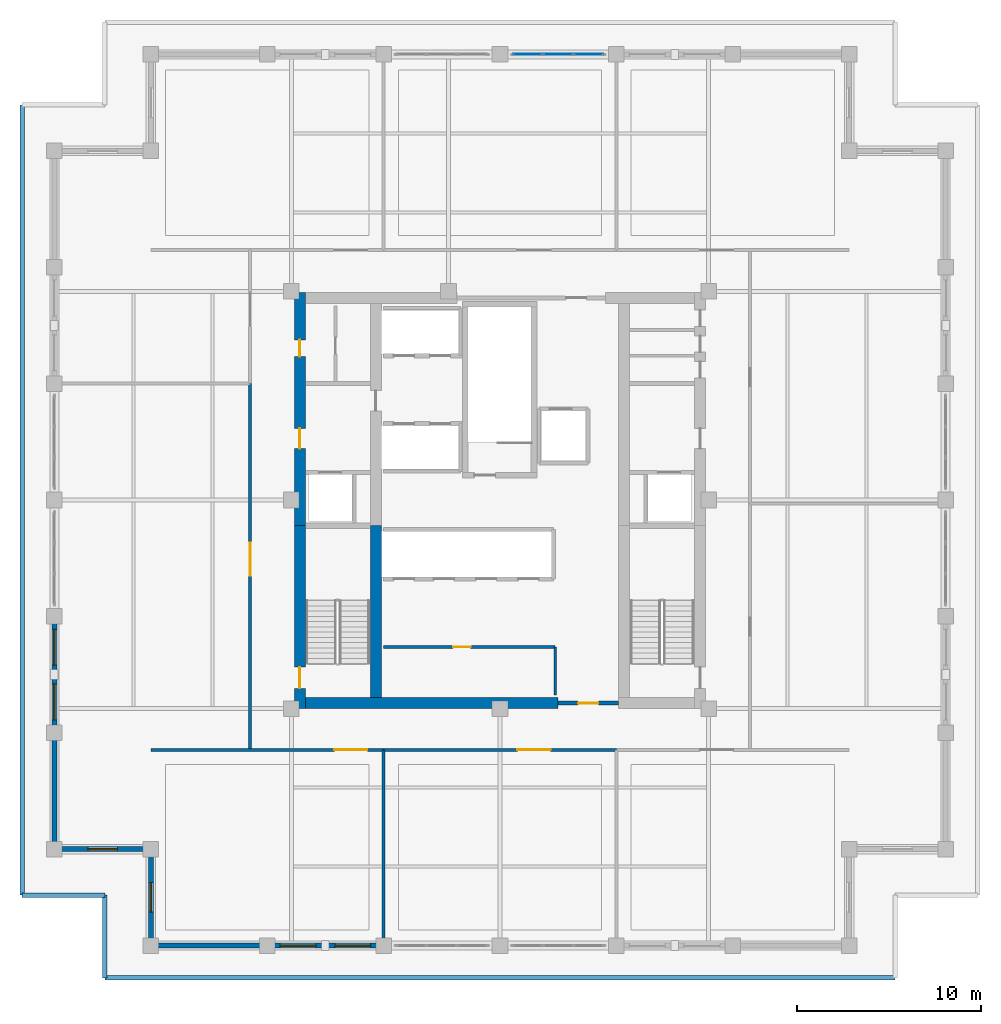
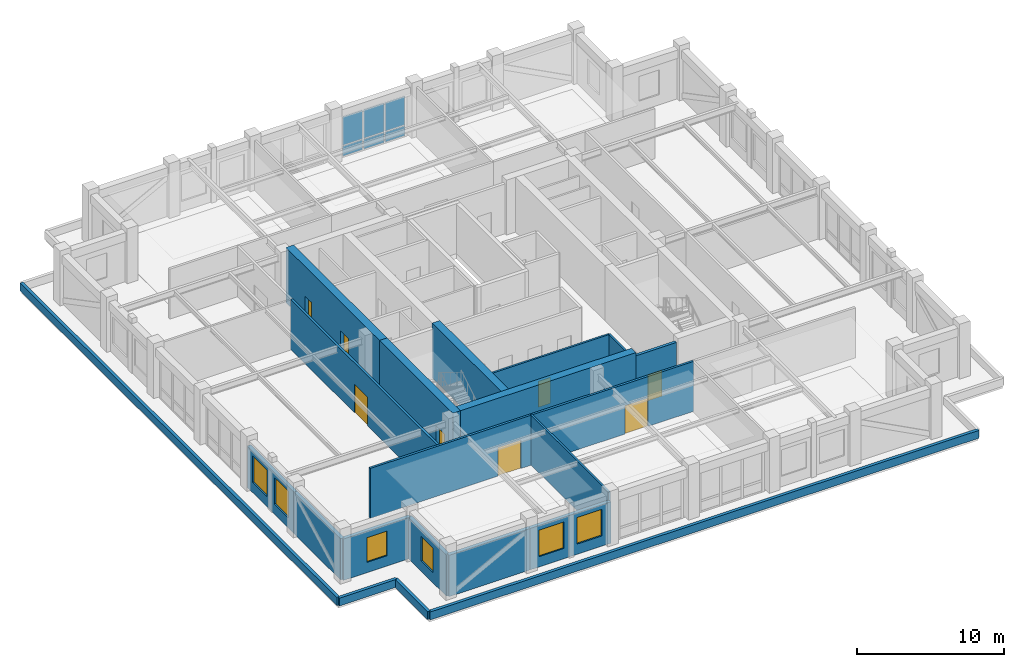
# One storey, part 7 of 14: 21 walls, 8 doors, 6 plates, 6 windows, 14 openings, 1 element without a shape of its own.
"""IFC4 building model written with IfcOpenShell, lengths in metres."""

from ifc_helpers import new_model, si_unit, direction, frame, frame_2d, origin, origin_2d, place, context, subcontext, project, spatial, rectangle, extrude, material, layer, layer_set, type_object, element, fill, aggregate, save


model = new_model("IFC4")

# Units and contexts
model_context = context("Model", 3, precision=1e-05, world=origin(), true_north=direction((0.0, 1.0)))
body_context = subcontext(model_context, "Body", "Model", "MODEL_VIEW")
ifc_project = project(units=[si_unit("LENGTHUNIT", "METRE"), si_unit("AREAUNIT", "SQUARE_METRE"), si_unit("VOLUMEUNIT", "CUBIC_METRE"), si_unit("PLANEANGLEUNIT", "RADIAN"), si_unit("MASSUNIT", "GRAM", prefix="KILO")], contexts=[model_context])

# Site, building, storey
site_placement = place(None, origin())
site = spatial("IfcSite", under=ifc_project, at=site_placement, CompositionType="ELEMENT")
building_placement = place(site_placement, origin())
building = spatial("IfcBuilding", under=site, at=building_placement, Name="Nhamokura Convention Tower", CompositionType="ELEMENT")
storey_placement = place(building_placement, frame((0.0, 0.0, 182.35009765625)))
storey = spatial("IfcBuildingStorey", under=building, at=storey_placement, Name="L44", CompositionType="ELEMENT", Elevation=182.35009765625)

# Curtain wall, plates
ifc_material_1 = material(Name="Anodised bronze aluminium AA6063-T6", Category="aluminium")
ifc_layer_1 = layer(ifc_material_1, 0.18994140625)
ifc_layer_set_1 = layer_set([ifc_layer_1], Name="CWSystem_SkyLobby")
curtain_wall_type = type_object("IfcCurtainWallType", Name="CWSystem_SkyLobby", PredefinedType="NOTDEFINED", material=ifc_layer_set_1)
curtain_wall_placement = place(storey_placement, origin())
curtain_wall = element("IfcCurtainWall", 1, at=curtain_wall_placement, inside=storey, type_object=curtain_wall_type, Name="L44 Curtain Wall ENV-L44-CW-N3", PredefinedType="NOTDEFINED")
ifc_material_2 = material(Name="Solar-control bronze low-E double glass", Category="glass")
ifc_layer_2 = layer(ifc_material_2, 0.0400390625)
ifc_layer_set_2 = layer_set([ifc_layer_2], Name="CWGlazedPanel_3")
plate_type = type_object("IfcPlateType", Name="CWGlazedPanel_3", PredefinedType="CURTAIN_PANEL", material=ifc_layer_set_2)
plate_1_placement = place(storey_placement, frame((33.507568359375, 56.25, 0.074951171875), z_axis=(0.0, 0.0, 1.0), x_axis=(1.0, 0.0, 0.0)))
plate_1 = element("IfcPlate", 2, at=plate_1_placement, type_object=plate_type, Name="CW-06 panel 1.1", PredefinedType="CURTAIN_PANEL", context=body_context, shape_type="SweptSolid", body=[
    extrude(rectangle(XDim=1.565185546875, YDim=0.0400390625, at=origin_2d()), origin(), (0.0, 0.0, 1.0), 0.83740234375),
])
plate_2_placement = place(storey_placement, frame((33.507568359375, 56.25, 0.9873046875), z_axis=(0.0, 0.0, 1.0), x_axis=(1.0, 0.0, 0.0)))
plate_2 = element("IfcPlate", 3, at=plate_2_placement, type_object=plate_type, Name="CW-06 panel 1.2", PredefinedType="CURTAIN_PANEL", context=body_context, shape_type="SweptSolid", body=[
    extrude(rectangle(XDim=1.565185546875, YDim=0.0400390625, at=origin_2d()), origin(), (0.0, 0.0, 1.0), 2.367431640625),
])
plate_3_placement = place(storey_placement, frame((35.166748046875, 56.25, 0.074951171875), z_axis=(0.0, 0.0, 1.0), x_axis=(1.0, 0.0, 0.0)))
plate_3 = element("IfcPlate", 4, at=plate_3_placement, type_object=plate_type, Name="CW-06 panel 2.1", PredefinedType="CURTAIN_PANEL", context=body_context, shape_type="SweptSolid", body=[
    extrude(rectangle(XDim=1.602783203125, YDim=0.0400390625, at=origin_2d()), origin(), (0.0, 0.0, 1.0), 0.83740234375),
])
plate_4_placement = place(storey_placement, frame((35.166748046875, 56.25, 0.9873046875), z_axis=(0.0, 0.0, 1.0), x_axis=(1.0, 0.0, 0.0)))
plate_4 = element("IfcPlate", 5, at=plate_4_placement, type_object=plate_type, Name="CW-06 panel 2.2", PredefinedType="CURTAIN_PANEL", context=body_context, shape_type="SweptSolid", body=[
    extrude(rectangle(XDim=1.602783203125, YDim=0.0400390625, at=origin_2d()), origin(), (0.0, 0.0, 1.0), 2.367431640625),
])
plate_5_placement = place(storey_placement, frame((36.82568359375, 56.25, 0.074951171875), z_axis=(0.0, 0.0, 1.0), x_axis=(1.0, 0.0, 0.0)))
plate_5 = element("IfcPlate", 6, at=plate_5_placement, type_object=plate_type, Name="CW-06 panel 3.1", PredefinedType="CURTAIN_PANEL", context=body_context, shape_type="SweptSolid", body=[
    extrude(rectangle(XDim=1.565185546875, YDim=0.0400390625, at=origin_2d()), origin(), (0.0, 0.0, 1.0), 0.83740234375),
])
plate_6_placement = place(storey_placement, frame((36.82568359375, 56.25, 0.9873046875), z_axis=(0.0, 0.0, 1.0), x_axis=(1.0, 0.0, 0.0)))
plate_6 = element("IfcPlate", 7, at=plate_6_placement, type_object=plate_type, Name="CW-06 panel 3.2", PredefinedType="CURTAIN_PANEL", context=body_context, shape_type="SweptSolid", body=[
    extrude(rectangle(XDim=1.565185546875, YDim=0.0400390625, at=origin_2d()), origin(), (0.0, 0.0, 1.0), 2.367431640625),
])
aggregate(curtain_wall, [plate_1, plate_2, plate_3, plate_4, plate_5, plate_6])

# Wall
ifc_material_3 = material(Name="Bronze-pigmented precast concrete C45/55", Category="concrete")
ifc_layer_3 = layer(ifc_material_3, 0.280029296875)
ifc_layer_set_3 = layer_set([ifc_layer_3], Name="BronzePrecastSpandrel_280")
wall_type_1 = type_object("IfcWallType", Name="BronzePrecastSpandrel_280", PredefinedType="USERDEFINED", material=ifc_layer_set_3)
wall_1_placement = place(storey_placement, frame((19.333251953125, 7.75, 0.0), z_axis=(0.0, 0.0, 1.0), x_axis=(-1.0, 0.0, 0.0)))
element("IfcWall", 8, at=wall_1_placement, inside=storey, type_object=wall_type_1, Name="L44 Braced-Bay Precast Wall SOUTH 0", ObjectType="SPANDREL_WALL", PredefinedType="USERDEFINED", context=body_context, shape_type="SweptSolid", body=[
    extrude(rectangle(XDim=6.333251953125, YDim=0.280029296875, at=frame_2d((3.16650390625, 0.0))), origin(), (0.0, 0.0, 1.0), 3.429931640625),
])

# Wall, openings, windows
wall_2_placement = place(storey_placement, frame((25.666748046875, 7.75, 0.0), z_axis=(0.0, 0.0, 1.0), x_axis=(-1.0, 0.0, 0.0)))
wall_2 = element("IfcWall", 9, at=wall_2_placement, inside=storey, type_object=wall_type_1, Name="L44 Masonry-Frame Wall SOUTH 1", ObjectType="SPANDREL_WALL", PredefinedType="USERDEFINED", context=body_context, shape_type="SweptSolid", body=[
    extrude(rectangle(XDim=6.33349609375, YDim=0.280029296875, at=frame_2d((3.166748046875, 0.0))), origin(), (0.0, 0.0, 1.0), 3.429931640625),
])
opening_1_placement = place(wall_2_placement, frame((0.708251953125, 0.0, 0.85009765625)))
opening_1 = element("IfcOpeningElement", 10, at=opening_1_placement, cuts=wall_2, Name="Opening W-08", PredefinedType="OPENING", context=body_context, shape_type="SweptSolid", body=[
    extrude(rectangle(XDim=1.949951171875, YDim=2.199951171875, at=frame_2d((0.97509765625, 1.10009765625))), frame((0.0, 0.14990234375, 0.0), z_axis=(0.0, -1.0, 0.0), x_axis=(1.0, 0.0, 0.0)), (0.0, 0.0, 1.0), 0.300048828125),
])
opening_2_placement = place(wall_2_placement, frame((3.675048828125, 0.0, 0.85009765625)))
opening_2 = element("IfcOpeningElement", 11, at=opening_2_placement, cuts=wall_2, Name="Opening W-08", PredefinedType="OPENING", context=body_context, shape_type="SweptSolid", body=[
    extrude(rectangle(XDim=1.949951171875, YDim=2.199951171875, at=frame_2d((0.97509765625, 1.10009765625))), frame((0.0, 0.14990234375, 0.0), z_axis=(0.0, -1.0, 0.0), x_axis=(1.0, 0.0, 0.0)), (0.0, 0.0, 1.0), 0.300048828125),
])
ifc_material_4 = material(Name="Solar-control bronze low-E double glass", Category="glass")
window_type_1 = type_object("IfcWindowType", Name="OfficeModuleWindow_Z3_1950", PartitioningType="SINGLE_PANEL", PredefinedType="WINDOW", material=ifc_material_4)
window_1_placement = place(opening_1_placement, origin())
window_1 = element("IfcWindow", 12, at=window_1_placement, inside=storey, type_object=window_type_1, Name="L44 Facade Window SOUTH 1-1", OverallHeight=2.199951171875, OverallWidth=1.949951171875, PartitioningType="SINGLE_PANEL", PredefinedType="WINDOW", context=body_context, shape_type="SweptSolid", body=[
    extrude(rectangle(XDim=1.949951171875, YDim=2.199951171875, at=frame_2d((0.97509765625, 1.10009765625))), frame((0.0, 0.030029296875, 0.0), z_axis=(0.0, -1.0, 0.0), x_axis=(1.0, 0.0, 0.0)), (0.0, 0.0, 1.0), 0.06005859375),
])
fill(opening_1, window_1)
window_2_placement = place(opening_2_placement, origin())
window_2 = element("IfcWindow", 13, at=window_2_placement, inside=storey, type_object=window_type_1, Name="L44 Facade Window SOUTH 1-2", OverallHeight=2.199951171875, OverallWidth=1.949951171875, PartitioningType="SINGLE_PANEL", PredefinedType="WINDOW", context=body_context, shape_type="SweptSolid", body=[
    extrude(rectangle(XDim=1.949951171875, YDim=2.199951171875, at=frame_2d((0.97509765625, 1.10009765625))), frame((0.0, 0.030029296875, 0.0), z_axis=(0.0, -1.0, 0.0), x_axis=(1.0, 0.0, 0.0)), (0.0, 0.0, 1.0), 0.06005859375),
])
fill(opening_2, window_2)

# Wall
wall_3_placement = place(storey_placement, frame((7.75, 13.0, 0.0), z_axis=(0.0, 0.0, 1.0), x_axis=(0.0, 1.0, 0.0)))
element("IfcWall", 14, at=wall_3_placement, inside=storey, type_object=wall_type_1, Name="L44 Braced-Bay Precast Wall WEST 0", ObjectType="SPANDREL_WALL", PredefinedType="USERDEFINED", context=body_context, shape_type="SweptSolid", body=[
    extrude(rectangle(XDim=6.333251953125, YDim=0.280029296875, at=frame_2d((3.16650390625, 0.0))), origin(), (0.0, 0.0, 1.0), 3.429931640625),
])

# Wall, openings, windows
wall_4_placement = place(storey_placement, frame((7.75, 19.333251953125, 0.0), z_axis=(0.0, 0.0, 1.0), x_axis=(0.0, 1.0, 0.0)))
wall_4 = element("IfcWall", 15, at=wall_4_placement, inside=storey, type_object=wall_type_1, Name="L44 Masonry-Frame Wall WEST 1", ObjectType="SPANDREL_WALL", PredefinedType="USERDEFINED", context=body_context, shape_type="SweptSolid", body=[
    extrude(rectangle(XDim=6.33349609375, YDim=0.280029296875, at=frame_2d((3.166748046875, 0.0))), origin(), (0.0, 0.0, 1.0), 3.429931640625),
])
opening_3_placement = place(wall_4_placement, frame((0.708251953125, 0.0, 0.85009765625)))
opening_3 = element("IfcOpeningElement", 16, at=opening_3_placement, cuts=wall_4, Name="Opening W-08", PredefinedType="OPENING", context=body_context, shape_type="SweptSolid", body=[
    extrude(rectangle(XDim=1.949951171875, YDim=2.199951171875, at=frame_2d((0.97509765625, 1.10009765625))), frame((0.0, 0.14990234375, 0.0), z_axis=(0.0, -1.0, 0.0), x_axis=(1.0, 0.0, 0.0)), (0.0, 0.0, 1.0), 0.300048828125),
])
opening_4_placement = place(wall_4_placement, frame((3.675048828125, 0.0, 0.85009765625)))
opening_4 = element("IfcOpeningElement", 17, at=opening_4_placement, cuts=wall_4, Name="Opening W-08", PredefinedType="OPENING", context=body_context, shape_type="SweptSolid", body=[
    extrude(rectangle(XDim=1.949951171875, YDim=2.199951171875, at=frame_2d((0.97509765625, 1.10009765625))), frame((0.0, 0.14990234375, 0.0), z_axis=(0.0, -1.0, 0.0), x_axis=(1.0, 0.0, 0.0)), (0.0, 0.0, 1.0), 0.300048828125),
])
window_3_placement = place(opening_3_placement, origin())
window_3 = element("IfcWindow", 18, at=window_3_placement, inside=storey, type_object=window_type_1, Name="L44 Facade Window WEST 1-1", OverallHeight=2.199951171875, OverallWidth=1.949951171875, PartitioningType="SINGLE_PANEL", PredefinedType="WINDOW", context=body_context, shape_type="SweptSolid", body=[
    extrude(rectangle(XDim=1.949951171875, YDim=2.199951171875, at=frame_2d((0.97509765625, 1.10009765625))), frame((0.0, 0.030029296875, 0.0), z_axis=(0.0, -1.0, 0.0), x_axis=(1.0, 0.0, 0.0)), (0.0, 0.0, 1.0), 0.06005859375),
])
fill(opening_3, window_3)
window_4_placement = place(opening_4_placement, origin())
window_4 = element("IfcWindow", 19, at=window_4_placement, inside=storey, type_object=window_type_1, Name="L44 Facade Window WEST 1-2", OverallHeight=2.199951171875, OverallWidth=1.949951171875, PartitioningType="SINGLE_PANEL", PredefinedType="WINDOW", context=body_context, shape_type="SweptSolid", body=[
    extrude(rectangle(XDim=1.949951171875, YDim=2.199951171875, at=frame_2d((0.97509765625, 1.10009765625))), frame((0.0, 0.030029296875, 0.0), z_axis=(0.0, -1.0, 0.0), x_axis=(1.0, 0.0, 0.0)), (0.0, 0.0, 1.0), 0.06005859375),
])
fill(opening_4, window_4)

# Wall, opening, window
wall_5_placement = place(storey_placement, frame((13.0, 7.75, 0.0), z_axis=(0.0, 0.0, 1.0), x_axis=(0.0, 1.0, 0.0)))
wall_5 = element("IfcWall", 20, at=wall_5_placement, inside=storey, type_object=wall_type_1, Name="L44 Notched Corner Wall SW1", ObjectType="SPANDREL_WALL", PredefinedType="USERDEFINED", context=body_context, shape_type="SweptSolid", body=[
    extrude(rectangle(XDim=5.25, YDim=0.280029296875, at=frame_2d((2.625, 0.0))), origin(), (0.0, 0.0, 1.0), 3.429931640625),
])
opening_5_placement = place(wall_5_placement, frame((1.824951171875, 0.0, 0.85009765625)))
opening_5 = element("IfcOpeningElement", 21, at=opening_5_placement, cuts=wall_5, Name="Opening W-11", PredefinedType="OPENING", context=body_context, shape_type="SweptSolid", body=[
    extrude(rectangle(XDim=1.60009765625, YDim=2.050048828125, at=frame_2d((0.800048828125, 1.02490234375))), frame((0.0, 0.14990234375, 0.0), z_axis=(0.0, -1.0, 0.0), x_axis=(1.0, 0.0, 0.0)), (0.0, 0.0, 1.0), 0.300048828125),
])
ifc_material_5 = material(Name="Solar-control bronze low-E double glass", Category="glass")
window_type_2 = type_object("IfcWindowType", Name="NotchCornerWindow_1600", PartitioningType="SINGLE_PANEL", PredefinedType="WINDOW", material=ifc_material_5)
window_5_placement = place(opening_5_placement, origin())
window_5 = element("IfcWindow", 22, at=window_5_placement, inside=storey, type_object=window_type_2, Name="L44 Notched Corner Window SW1", OverallHeight=2.050048828125, OverallWidth=1.60009765625, PartitioningType="SINGLE_PANEL", PredefinedType="WINDOW", context=body_context, shape_type="SweptSolid", body=[
    extrude(rectangle(XDim=1.60009765625, YDim=2.050048828125, at=frame_2d((0.800048828125, 1.02490234375))), frame((0.0, 0.030029296875, 0.0), z_axis=(0.0, -1.0, 0.0), x_axis=(1.0, 0.0, 0.0)), (0.0, 0.0, 1.0), 0.06005859375),
])
fill(opening_5, window_5)

wall_6_placement = place(storey_placement, frame((13.0, 13.0, 0.0), z_axis=(0.0, 0.0, 1.0), x_axis=(-1.0, 0.0, 0.0)))
wall_6 = element("IfcWall", 23, at=wall_6_placement, inside=storey, type_object=wall_type_1, Name="L44 Notched Corner Wall SW2", ObjectType="SPANDREL_WALL", PredefinedType="USERDEFINED", context=body_context, shape_type="SweptSolid", body=[
    extrude(rectangle(XDim=5.25, YDim=0.280029296875, at=frame_2d((2.625, 0.0))), origin(), (0.0, 0.0, 1.0), 3.429931640625),
])
opening_6_placement = place(wall_6_placement, frame((1.824951171875, 0.0, 0.85009765625)))
opening_6 = element("IfcOpeningElement", 24, at=opening_6_placement, cuts=wall_6, Name="Opening W-11", PredefinedType="OPENING", context=body_context, shape_type="SweptSolid", body=[
    extrude(rectangle(XDim=1.60009765625, YDim=2.050048828125, at=frame_2d((0.800048828125, 1.02490234375))), frame((0.0, 0.14990234375, 0.0), z_axis=(0.0, -1.0, 0.0), x_axis=(1.0, 0.0, 0.0)), (0.0, 0.0, 1.0), 0.300048828125),
])
window_6_placement = place(opening_6_placement, origin())
window_6 = element("IfcWindow", 25, at=window_6_placement, inside=storey, type_object=window_type_2, Name="L44 Notched Corner Window SW2", OverallHeight=2.050048828125, OverallWidth=1.60009765625, PartitioningType="SINGLE_PANEL", PredefinedType="WINDOW", context=body_context, shape_type="SweptSolid", body=[
    extrude(rectangle(XDim=1.60009765625, YDim=2.050048828125, at=frame_2d((0.800048828125, 1.02490234375))), frame((0.0, 0.030029296875, 0.0), z_axis=(0.0, -1.0, 0.0), x_axis=(1.0, 0.0, 0.0)), (0.0, 0.0, 1.0), 0.06005859375),
])
fill(opening_6, window_6)

# Wall, opening, door
ifc_material_6 = material(Name="Concrete C60/75", Category="concrete")
ifc_layer_4 = layer(ifc_material_6, 0.60009765625)
ifc_layer_set_4 = layer_set([ifc_layer_4], Name="CoreShearWall_600")
wall_type_2 = type_object("IfcWallType", Name="CoreShearWall_600", PredefinedType="SHEAR", material=ifc_layer_set_4)
wall_7_placement = place(storey_placement, frame((21.110107421875, 20.64990234375, 0.0), z_axis=(0.0, 0.0, 1.0), x_axis=(0.0, 1.0, 0.0)))
wall_7 = element("IfcWall", 26, at=wall_7_placement, inside=storey, type_object=wall_type_2, Name="L44 Core Shear Wall CW-WS", PredefinedType="SHEAR", context=body_context, shape_type="SweptSolid", body=[
    extrude(rectangle(XDim=9.9501953125, YDim=0.60009765625, at=frame_2d((4.97509765625, 0.0))), origin(), (0.0, 0.0, 1.0), 4.5498046875),
])
opening_7_placement = place(wall_7_placement, frame((1.10009765625, 0.0, 0.0)))
opening_7 = element("IfcOpeningElement", 27, at=opening_7_placement, cuts=wall_7, Name="Opening D-04", PredefinedType="OPENING", context=body_context, shape_type="SweptSolid", body=[
    extrude(rectangle(XDim=1.14990234375, YDim=2.14990234375, at=frame_2d((0.574951171875, 1.074951171875))), frame((0.0, 0.31005859375, 0.0), z_axis=(0.0, -1.0, 0.0), x_axis=(1.0, 0.0, 0.0)), (0.0, 0.0, 1.0), 0.6201171875),
])
ifc_material_7 = material(Name="Fire-rated steel door", Category="steel")
door_type_1 = type_object("IfcDoorType", Name="StairSmokeDoor_1150", OperationType="NOTDEFINED", PredefinedType="DOOR", material=ifc_material_7)
door_1_placement = place(opening_7_placement, origin())
door_1 = element("IfcDoor", 28, at=door_1_placement, inside=storey, type_object=door_type_1, Name="L44 Core Door INT-L44-D-ST01", OperationType="SINGLE_SWING_LEFT", OverallHeight=2.14990234375, OverallWidth=1.14990234375, PredefinedType="DOOR", context=body_context, shape_type="SweptSolid", body=[
    extrude(rectangle(XDim=1.14990234375, YDim=2.14990234375, at=frame_2d((0.574951171875, 1.074951171875))), frame((0.0, 0.02490234375, 0.0), z_axis=(0.0, -1.0, 0.0), x_axis=(1.0, 0.0, 0.0)), (0.0, 0.0, 1.0), 0.050048828125),
])
fill(opening_7, door_1)

# Wall, openings, doors
wall_8_placement = place(storey_placement, frame((21.110107421875, 30.60009765625, 0.0), z_axis=(0.0, 0.0, 1.0), x_axis=(0.0, 1.0, 0.0)))
wall_8 = element("IfcWall", 29, at=wall_8_placement, inside=storey, type_object=wall_type_2, Name="L44 Core Shear Wall CW-WN", PredefinedType="SHEAR", context=body_context, shape_type="SweptSolid", body=[
    extrude(rectangle(XDim=12.699951171875, YDim=0.60009765625, at=frame_2d((6.35009765625, 0.0))), origin(), (0.0, 0.0, 1.0), 4.5498046875),
])
opening_8_placement = place(wall_8_placement, frame((4.199951171875, 0.0, 0.0)))
opening_8 = element("IfcOpeningElement", 30, at=opening_8_placement, cuts=wall_8, Name="Opening D-05", PredefinedType="OPENING", context=body_context, shape_type="SweptSolid", body=[
    extrude(rectangle(XDim=1.10009765625, YDim=2.14990234375, at=frame_2d((0.550048828125, 1.074951171875))), frame((0.0, 0.31005859375, 0.0), z_axis=(0.0, -1.0, 0.0), x_axis=(1.0, 0.0, 0.0)), (0.0, 0.0, 1.0), 0.6201171875),
])
opening_9_placement = place(wall_8_placement, frame((9.199951171875, 0.0, 0.0)))
opening_9 = element("IfcOpeningElement", 31, at=opening_9_placement, cuts=wall_8, Name="Opening D-10", PredefinedType="OPENING", context=body_context, shape_type="SweptSolid", body=[
    extrude(rectangle(XDim=0.919921875, YDim=2.10009765625, at=frame_2d((0.4599609375, 1.050048828125))), frame((0.0, 0.31005859375, 0.0), z_axis=(0.0, -1.0, 0.0), x_axis=(1.0, 0.0, 0.0)), (0.0, 0.0, 1.0), 0.6201171875),
])
ifc_material_8 = material(Name="Solid oak hardwood", Category="wood")
door_type_2 = type_object("IfcDoorType", Name="AccessibleWCDoor_920", OperationType="NOTDEFINED", PredefinedType="DOOR", material=ifc_material_8)
door_2_placement = place(opening_9_placement, origin())
door_2 = element("IfcDoor", 32, at=door_2_placement, inside=storey, type_object=door_type_2, Name="L44 Core Door INT-L44-D-AWCW", OperationType="SINGLE_SWING_RIGHT", OverallHeight=2.10009765625, OverallWidth=0.919921875, PredefinedType="DOOR", context=body_context, shape_type="SweptSolid", body=[
    extrude(rectangle(XDim=0.919921875, YDim=2.10009765625, at=frame_2d((0.4599609375, 1.050048828125))), frame((0.0, 0.02490234375, 0.0), z_axis=(0.0, -1.0, 0.0), x_axis=(1.0, 0.0, 0.0)), (0.0, 0.0, 1.0), 0.050048828125),
])
fill(opening_9, door_2)
ifc_material_9 = material(Name="Fire-rated steel door", Category="steel")
door_type_3 = type_object("IfcDoorType", Name="FireLobbyDoor_1100", OperationType="NOTDEFINED", PredefinedType="DOOR", material=ifc_material_9)
door_3_placement = place(opening_8_placement, origin())
door_3 = element("IfcDoor", 33, at=door_3_placement, inside=storey, type_object=door_type_3, Name="L44 Core Door INT-L44-D-FFLW", OperationType="SINGLE_SWING_RIGHT", OverallHeight=2.14990234375, OverallWidth=1.10009765625, PredefinedType="DOOR", context=body_context, shape_type="SweptSolid", body=[
    extrude(rectangle(XDim=1.10009765625, YDim=2.14990234375, at=frame_2d((0.550048828125, 1.074951171875))), frame((0.0, 0.02490234375, 0.0), z_axis=(0.0, -1.0, 0.0), x_axis=(1.0, 0.0, 0.0)), (0.0, 0.0, 1.0), 0.050048828125),
])
fill(opening_8, door_3)

# Walls
wall_9_placement = place(storey_placement, frame((21.409912109375, 20.949951171875, 0.0), z_axis=(0.0, 0.0, 1.0), x_axis=(1.0, 0.0, 0.0)))
element("IfcWall", 34, at=wall_9_placement, inside=storey, type_object=wall_type_2, Name="L44 Core Shear Wall CW-S1", PredefinedType="SHEAR", context=body_context, shape_type="SweptSolid", body=[
    extrude(rectangle(XDim=13.739990234375, YDim=0.60009765625, at=frame_2d((6.8701171875, 0.0))), origin(), (0.0, 0.0, 1.0), 4.5498046875),
])
wall_10_placement = place(storey_placement, frame((25.239990234375, 21.25, 0.0), z_axis=(0.0, 0.0, 1.0), x_axis=(0.0, 1.0, 0.0)))
element("IfcWall", 35, at=wall_10_placement, inside=storey, type_object=wall_type_2, Name="L44 Core Shear Wall CW-IWS", PredefinedType="SHEAR", context=body_context, shape_type="SweptSolid", body=[
    extrude(rectangle(XDim=9.35009765625, YDim=0.60009765625, at=frame_2d((4.675048828125, 0.0))), origin(), (0.0, 0.0, 1.0), 4.5498046875),
])

# Wall, opening, door
ifc_material_10 = material(Name="Fire-rated gypsum and masonry partition", Category="masonry")
ifc_layer_5 = layer(ifc_material_10, 0.179931640625)
ifc_layer_set_5 = layer_set([ifc_layer_5], Name="CorridorRatedWall_180")
wall_type_3 = type_object("IfcWallType", Name="CorridorRatedWall_180", PredefinedType="STANDARD", material=ifc_layer_set_5)
wall_11_placement = place(storey_placement, frame((13.0, 18.39990234375, 0.0), z_axis=(0.0, 0.0, 1.0), x_axis=(1.0, 0.0, 0.0)))
wall_11 = element("IfcWall", 36, at=wall_11_placement, inside=storey, type_object=wall_type_3, Name="L44 Wall INT-L44-CW-S00", PredefinedType="STANDARD", context=body_context, shape_type="SweptSolid", body=[
    extrude(rectangle(XDim=12.666748046875, YDim=0.179931640625, at=frame_2d((6.33349609375, 0.0))), origin(), (0.0, 0.0, 1.0), 4.1298828125),
])
opening_10_placement = place(wall_11_placement, frame((9.9833984375, 0.0, 0.0)))
opening_10 = element("IfcOpeningElement", 37, at=opening_10_placement, cuts=wall_11, Name="Opening D-03", PredefinedType="OPENING", context=body_context, shape_type="SweptSolid", body=[
    extrude(rectangle(XDim=1.800048828125, YDim=2.35009765625, at=frame_2d((0.89990234375, 1.175048828125))), frame((0.0, 0.099853515625, 0.0), z_axis=(0.0, -1.0, 0.0), x_axis=(1.0, 0.0, 0.0)), (0.0, 0.0, 1.0), 0.199951171875),
])
ifc_material_11 = material(Name="Solid oak hardwood", Category="wood")
door_type_4 = type_object("IfcDoorType", Name="BallroomDoubleDoor_1800", OperationType="DOUBLE_DOOR_SINGLE_SWING", PredefinedType="DOOR", material=ifc_material_11)
door_4_placement = place(opening_10_placement, origin())
door_4 = element("IfcDoor", 38, at=door_4_placement, inside=storey, type_object=door_type_4, Name="L44 Sky Lobby Lounge S01 Door", OperationType="SINGLE_SWING_LEFT", OverallHeight=2.35009765625, OverallWidth=1.800048828125, PredefinedType="DOOR", context=body_context, shape_type="SweptSolid", body=[
    extrude(rectangle(XDim=1.800048828125, YDim=2.35009765625, at=frame_2d((0.89990234375, 1.175048828125))), frame((0.0, 0.02490234375, 0.0), z_axis=(0.0, -1.0, 0.0), x_axis=(1.0, 0.0, 0.0)), (0.0, 0.0, 1.0), 0.050048828125),
])
fill(opening_10, door_4)

wall_12_placement = place(storey_placement, frame((25.666748046875, 18.39990234375, 0.0), z_axis=(0.0, 0.0, 1.0), x_axis=(1.0, 0.0, 0.0)))
wall_12 = element("IfcWall", 39, at=wall_12_placement, inside=storey, type_object=wall_type_3, Name="L44 Wall INT-L44-CW-S01", PredefinedType="STANDARD", context=body_context, shape_type="SweptSolid", body=[
    extrude(rectangle(XDim=12.66650390625, YDim=0.179931640625, at=frame_2d((6.333251953125, 0.0))), origin(), (0.0, 0.0, 1.0), 4.1298828125),
])
opening_11_placement = place(wall_12_placement, frame((7.283203125, 0.0, 0.0)))
opening_11 = element("IfcOpeningElement", 40, at=opening_11_placement, cuts=wall_12, Name="Opening D-03", PredefinedType="OPENING", context=body_context, shape_type="SweptSolid", body=[
    extrude(rectangle(XDim=1.800048828125, YDim=2.35009765625, at=frame_2d((0.89990234375, 1.175048828125))), frame((0.0, 0.099853515625, 0.0), z_axis=(0.0, -1.0, 0.0), x_axis=(1.0, 0.0, 0.0)), (0.0, 0.0, 1.0), 0.199951171875),
])
door_5_placement = place(opening_11_placement, origin())
door_5 = element("IfcDoor", 41, at=door_5_placement, inside=storey, type_object=door_type_4, Name="L44 Dining Cafe S02 Door", OperationType="SINGLE_SWING_RIGHT", OverallHeight=2.35009765625, OverallWidth=1.800048828125, PredefinedType="DOOR", context=body_context, shape_type="SweptSolid", body=[
    extrude(rectangle(XDim=1.800048828125, YDim=2.35009765625, at=frame_2d((0.89990234375, 1.175048828125))), frame((0.0, 0.02490234375, 0.0), z_axis=(0.0, -1.0, 0.0), x_axis=(1.0, 0.0, 0.0)), (0.0, 0.0, 1.0), 0.050048828125),
])
fill(opening_11, door_5)

wall_13_placement = place(storey_placement, frame((18.39990234375, 18.39990234375, 0.0), z_axis=(0.0, 0.0, 1.0), x_axis=(0.0, 1.0, 0.0)))
wall_13 = element("IfcWall", 42, at=wall_13_placement, inside=storey, type_object=wall_type_3, Name="L44 Wall INT-L44-CW-W00", PredefinedType="STANDARD", context=body_context, shape_type="SweptSolid", body=[
    extrude(rectangle(XDim=19.933349609375, YDim=0.179931640625, at=frame_2d((9.966796875, 0.0))), origin(), (0.0, 0.0, 1.0), 4.1298828125),
])
opening_12_placement = place(wall_13_placement, frame((9.466796875, 0.0, 0.0)))
opening_12 = element("IfcOpeningElement", 43, at=opening_12_placement, cuts=wall_13, Name="Opening D-03", PredefinedType="OPENING", context=body_context, shape_type="SweptSolid", body=[
    extrude(rectangle(XDim=1.800048828125, YDim=2.35009765625, at=frame_2d((0.89990234375, 1.175048828125))), frame((0.0, 0.099853515625, 0.0), z_axis=(0.0, -1.0, 0.0), x_axis=(1.0, 0.0, 0.0)), (0.0, 0.0, 1.0), 0.199951171875),
])
door_6_placement = place(opening_12_placement, origin())
door_6 = element("IfcDoor", 44, at=door_6_placement, inside=storey, type_object=door_type_4, Name="L44 Meeting Room W01 Door", OperationType="SINGLE_SWING_LEFT", OverallHeight=2.35009765625, OverallWidth=1.800048828125, PredefinedType="DOOR", context=body_context, shape_type="SweptSolid", body=[
    extrude(rectangle(XDim=1.800048828125, YDim=2.35009765625, at=frame_2d((0.89990234375, 1.175048828125))), frame((0.0, 0.02490234375, 0.0), z_axis=(0.0, -1.0, 0.0), x_axis=(1.0, 0.0, 0.0)), (0.0, 0.0, 1.0), 0.050048828125),
])
fill(opening_12, door_6)

ifc_material_12 = material(Name="Autoclaved concrete blockwork", Category="masonry")
ifc_layer_6 = layer(ifc_material_12, 0.219970703125)
ifc_layer_set_6 = layer_set([ifc_layer_6], Name="FireLobbyWall_220")
wall_type_4 = type_object("IfcWallType", Name="FireLobbyWall_220", PredefinedType="STANDARD", material=ifc_layer_set_6)
wall_14_placement = place(storey_placement, frame((35.14990234375, 20.949951171875, 0.0), z_axis=(0.0, 0.0, 1.0), x_axis=(1.0, 0.0, 0.0)))
wall_14 = element("IfcWall", 45, at=wall_14_placement, inside=storey, type_object=wall_type_4, Name="L44 Wall INT-L44-SPORT-S", PredefinedType="STANDARD", context=body_context, shape_type="SweptSolid", body=[
    extrude(rectangle(XDim=3.300048828125, YDim=0.219970703125, at=frame_2d((1.64990234375, 0.0))), origin(), (0.0, 0.0, 1.0), 4.1298828125),
])
opening_13_placement = place(wall_14_placement, frame((1.10009765625, 0.0, 0.0)))
opening_13 = element("IfcOpeningElement", 46, at=opening_13_placement, cuts=wall_14, Name="Opening D-05", PredefinedType="OPENING", context=body_context, shape_type="SweptSolid", body=[
    extrude(rectangle(XDim=1.10009765625, YDim=2.14990234375, at=frame_2d((0.550048828125, 1.074951171875))), frame((0.0, 0.119873046875, 0.0), z_axis=(0.0, -1.0, 0.0), x_axis=(1.0, 0.0, 0.0)), (0.0, 0.0, 1.0), 0.239990234375),
])
door_7_placement = place(opening_13_placement, origin())
door_7 = element("IfcDoor", 47, at=door_7_placement, inside=storey, type_object=door_type_3, Name="L44 South Core Lobby Portal Door", OperationType="SINGLE_SWING_LEFT", OverallHeight=2.14990234375, OverallWidth=1.10009765625, PredefinedType="DOOR", context=body_context, shape_type="SweptSolid", body=[
    extrude(rectangle(XDim=1.10009765625, YDim=2.14990234375, at=frame_2d((0.550048828125, 1.074951171875))), frame((0.0, 0.02490234375, 0.0), z_axis=(0.0, -1.0, 0.0), x_axis=(1.0, 0.0, 0.0)), (0.0, 0.0, 1.0), 0.050048828125),
])
fill(opening_13, door_7)

ifc_material_13 = material(Name="Acoustic gypsum stud partition", Category="masonry")
ifc_layer_7 = layer(ifc_material_13, 0.14990234375)
ifc_layer_set_7 = layer_set([ifc_layer_7], Name="InteriorPartition_150")
wall_type_5 = type_object("IfcWallType", Name="InteriorPartition_150", PredefinedType="STANDARD", material=ifc_layer_set_7)
wall_15_placement = place(storey_placement, frame((25.64990234375, 24.0, 0.0), z_axis=(0.0, 0.0, 1.0), x_axis=(1.0, 0.0, 0.0)))
wall_15 = element("IfcWall", 48, at=wall_15_placement, inside=storey, type_object=wall_type_5, Name="L44 Wall INT-L44-B1R-N", PredefinedType="STANDARD", context=body_context, shape_type="SweptSolid", body=[
    extrude(rectangle(XDim=9.35009765625, YDim=0.14990234375, at=frame_2d((4.675048828125, 0.0))), origin(), (0.0, 0.0, 1.0), 4.1298828125),
])
opening_14_placement = place(wall_15_placement, frame((3.800048828125, 0.0, 0.0)))
opening_14 = element("IfcOpeningElement", 49, at=opening_14_placement, cuts=wall_15, Name="Opening D-09", PredefinedType="OPENING", context=body_context, shape_type="SweptSolid", body=[
    extrude(rectangle(XDim=0.949951171875, YDim=2.14990234375, at=frame_2d((0.47509765625, 1.074951171875))), frame((0.0, 0.0849609375, 0.0), z_axis=(0.0, -1.0, 0.0), x_axis=(1.0, 0.0, 0.0)), (0.0, 0.0, 1.0), 0.169921875),
])
ifc_material_14 = material(Name="Solid oak hardwood", Category="wood")
door_type_5 = type_object("IfcDoorType", Name="MeetingRoomDoor_950", OperationType="NOTDEFINED", PredefinedType="DOOR", material=ifc_material_14)
door_8_placement = place(opening_14_placement, origin())
door_8 = element("IfcDoor", 50, at=door_8_placement, inside=storey, type_object=door_type_5, Name="L44 Reclaimed Briefing Room Door", OperationType="SINGLE_SWING_LEFT", OverallHeight=2.14990234375, OverallWidth=0.949951171875, PredefinedType="DOOR", context=body_context, shape_type="SweptSolid", body=[
    extrude(rectangle(XDim=0.949951171875, YDim=2.14990234375, at=frame_2d((0.47509765625, 1.074951171875))), frame((0.0, 0.02490234375, 0.0), z_axis=(0.0, -1.0, 0.0), x_axis=(1.0, 0.0, 0.0)), (0.0, 0.0, 1.0), 0.050048828125),
])
fill(opening_14, door_8)

# Walls
wall_16_placement = place(storey_placement, frame((35.0, 21.39990234375, 0.0), z_axis=(0.0, 0.0, 1.0), x_axis=(0.0, 1.0, 0.0)))
element("IfcWall", 51, at=wall_16_placement, inside=storey, type_object=wall_type_5, Name="L44 Wall INT-L44-B1R-E", PredefinedType="STANDARD", context=body_context, shape_type="SweptSolid", body=[
    extrude(rectangle(XDim=2.60009765625, YDim=0.14990234375, at=frame_2d((1.300048828125, 0.0))), origin(), (0.0, 0.0, 1.0), 4.1298828125),
])
wall_17_placement = place(storey_placement, frame((25.666748046875, 7.81005859375, 0.0), z_axis=(0.0, 0.0, 1.0), x_axis=(0.0, 1.0, 0.0)))
element("IfcWall", 52, at=wall_17_placement, inside=storey, type_object=wall_type_5, Name="L44 Wall INT-L44-RW-S01", PredefinedType="STANDARD", context=body_context, shape_type="SweptSolid", body=[
    extrude(rectangle(XDim=10.58984375, YDim=0.14990234375, at=frame_2d((5.294921875, 0.0))), origin(), (0.0, 0.0, 1.0), 4.1298828125),
])
ifc_material_15 = material(Name="Bronze-pigmented precast concrete C45/55", Category="concrete")
ifc_layer_8 = layer(ifc_material_15, 0.239990234375)
ifc_layer_set_8 = layer_set([ifc_layer_8], Name="TerraceParapet_240")
wall_type_6 = type_object("IfcWallType", Name="TerraceParapet_240", PredefinedType="PARAPET", material=ifc_layer_set_8)
for number, where, z_axis, x_axis, name in (
    (53, (10.5, 6.0, 0.0), (0.0, 0.0, 1.0), (1.0, 0.0, 0.0), "L44 Setback Roof Parapet 00"),
    (54, (6.0, 53.5, 0.0), (0.0, 0.0, 1.0), (0.0, -1.0, 0.0), "L44 Setback Roof Parapet 09"),
):
    element("IfcWall", number, at=place(storey_placement, frame(where, z_axis=z_axis, x_axis=x_axis)), inside=storey, type_object=wall_type_6, Name=name, PredefinedType="PARAPET", context=body_context, shape_type="SweptSolid", body=[
        extrude(rectangle(XDim=43.0, YDim=0.239990234375, at=frame_2d((21.5, 0.0))), origin(), (0.0, 0.0, 1.0), 0.64990234375),
    ])
for number, where, z_axis, x_axis, name in (
    (55, (6.0, 10.5, 0.0), (0.0, 0.0, 1.0), (1.0, 0.0, 0.0), "L44 Setback Roof Parapet 10"),
    (56, (10.5, 10.5, 0.0), (0.0, 0.0, 1.0), (0.0, -1.0, 0.0), "L44 Setback Roof Parapet 11"),
):
    element("IfcWall", number, at=place(storey_placement, frame(where, z_axis=z_axis, x_axis=x_axis)), inside=storey, type_object=wall_type_6, Name=name, PredefinedType="PARAPET", context=body_context, shape_type="SweptSolid", body=[
        extrude(rectangle(XDim=4.5, YDim=0.239990234375, at=frame_2d((2.25, 0.0))), origin(), (0.0, 0.0, 1.0), 0.64990234375),
    ])

save(model, "model.ifc")
